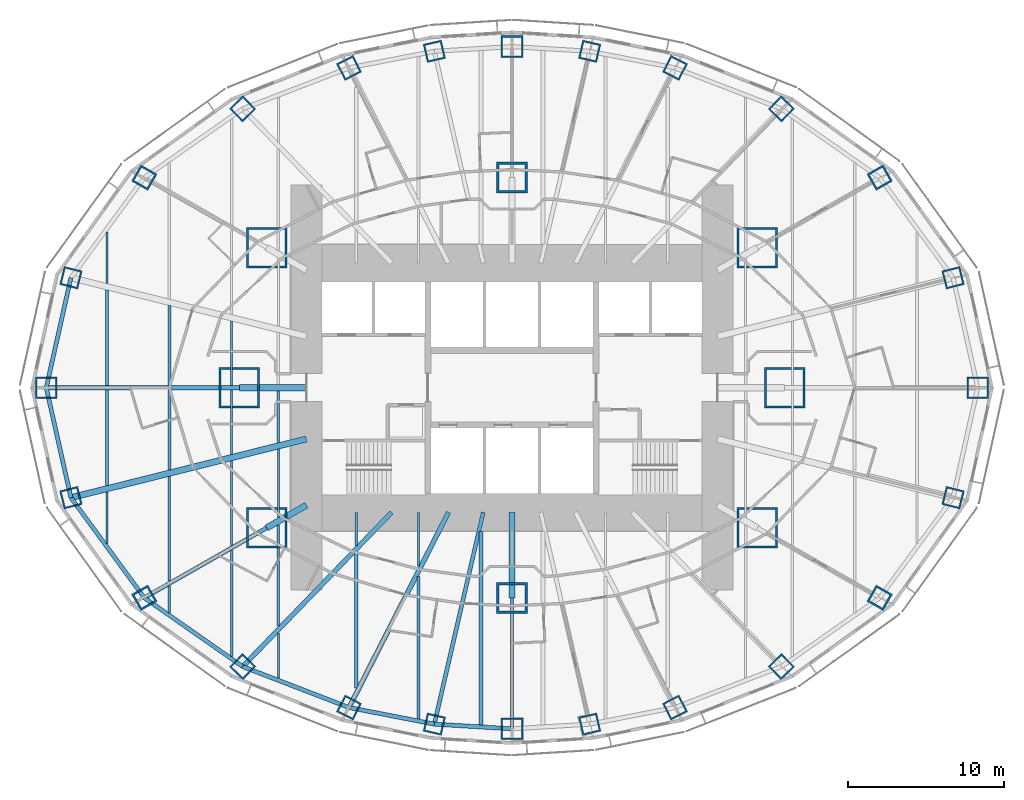
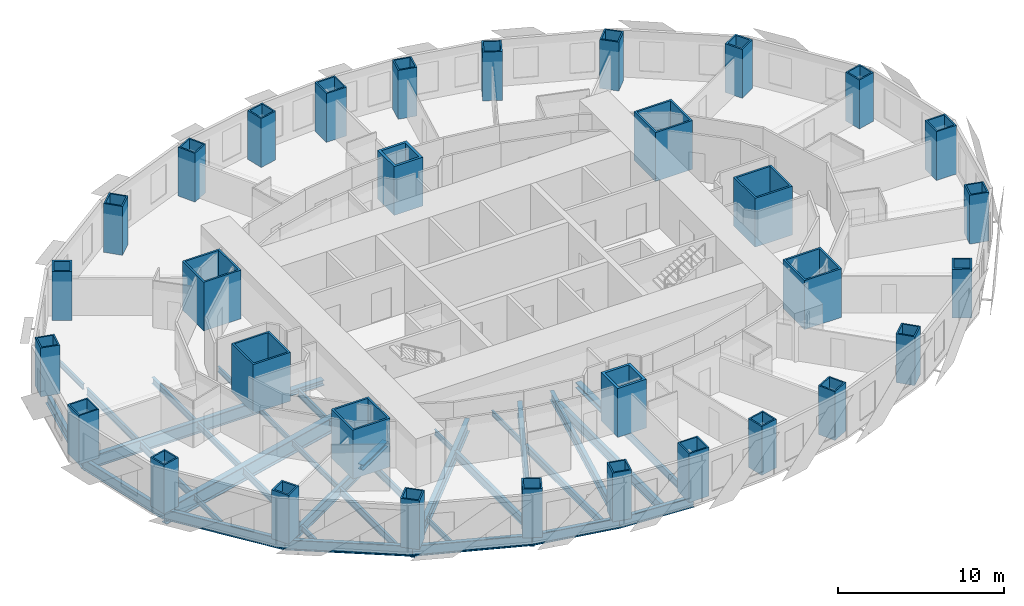
# One storey, part 1 of 15: 38 beams, 32 columns.
"""IFC4 building model written with IfcOpenShell, lengths in metres."""

from ifc_helpers import new_model, si_unit, direction, frame, origin, origin_2d, place, context, subcontext, project, spatial, rectangle, hollow_rectangle, i_section, extrude, material, material_profile, profile_set, type_object, element, save


model = new_model("IFC4")

# Units and contexts
model_context = context("Model", 3, precision=1e-05, world=origin(), true_north=direction((0.0, 1.0)))
body_context = subcontext(model_context, "Body", "Model", "MODEL_VIEW")
ifc_project = project(units=[si_unit("LENGTHUNIT", "METRE"), si_unit("AREAUNIT", "SQUARE_METRE"), si_unit("VOLUMEUNIT", "CUBIC_METRE"), si_unit("PLANEANGLEUNIT", "RADIAN"), si_unit("MASSUNIT", "GRAM", prefix="KILO")], contexts=[model_context])

# Site, building, storey
site_placement = place(None, origin())
site = spatial("IfcSite", under=ifc_project, at=site_placement, CompositionType="ELEMENT")
building_placement = place(site_placement, origin())
building = spatial("IfcBuilding", under=site, at=building_placement, Name="Lantaw Convention Tower", CompositionType="ELEMENT")
storey_placement = place(building_placement, frame((0.0, 0.0, 73.0)))
storey = spatial("IfcBuildingStorey", under=building, at=storey_placement, Name="L16", CompositionType="ELEMENT", Elevation=73.0)

# Columns
ifc_material_1 = material(Name="Steel EN 10025-3 S460N", Category="steel")
ifc_material_profile_1 = material_profile(ifc_material_1, hollow_rectangle(XDim=2.0, YDim=2.0, WallThickness=0.169921875, at=origin_2d()), Name="BOX2000X170")
ifc_material_2 = material(Name="Concrete C60/75", Category="concrete")
ifc_material_profile_2 = material_profile(ifc_material_2, rectangle(XDim=1.659912109375, YDim=1.659912109375, at=origin_2d()), Name="Concrete fill of BOX2000X170")
ifc_profile_set_1 = profile_set([ifc_material_profile_1, ifc_material_profile_2], Name="Steel EN 10025-3 S460N")
column_type_1 = type_object("IfcColumnType", Name="Column MC BOX2000X170", PredefinedType="COLUMN", material=ifc_profile_set_1)
for number, where, z_axis, x_axis, name in (
    (1, (0.0, 13.5, 0.0), (0.0, 0.0, 1.0), (1.0, 0.0, 0.0), "Mega column M3"),
    (2, (0.0, -13.5, 0.0), (0.0, 0.0, 1.0), (1.0, 0.0, 0.0), "Mega column M7"),
):
    element("IfcColumn", number, at=place(storey_placement, frame(where, z_axis=z_axis, x_axis=x_axis)), inside=storey, type_object=column_type_1, Name=name, PredefinedType="COLUMN", context=body_context, shape_type="SweptSolid", body=[
        extrude(hollow_rectangle(XDim=2.0, YDim=2.0, WallThickness=0.169921875, at=origin_2d()), origin(), (0.0, 0.0, 1.0), 3.60009765625),
    ])
ifc_material_profile_3 = material_profile(ifc_material_1, hollow_rectangle(XDim=2.60009765625, YDim=2.60009765625, WallThickness=0.1298828125, at=origin_2d()), Name="BOX2600X130")
ifc_material_profile_4 = material_profile(ifc_material_2, rectangle(XDim=2.340087890625, YDim=2.340087890625, at=origin_2d()), Name="Concrete fill of BOX2600X130")
ifc_profile_set_2 = profile_set([ifc_material_profile_3, ifc_material_profile_4], Name="Steel EN 10025-3 S460N")
column_type_2 = type_object("IfcColumnType", Name="Column MC BOX2600X130", PredefinedType="COLUMN", material=ifc_profile_set_2)
for number, where, z_axis, x_axis, name in (
    (3, (17.5, 0.0, 0.0), (0.0, 0.0, 1.0), (1.0, 0.0, 0.0), "Mega column M1"),
    (4, (15.75, 9.0, 0.0), (0.0, 0.0, 1.0), (1.0, 0.0, 0.0), "Mega column M2"),
    (5, (-15.75, 9.0, 0.0), (0.0, 0.0, 1.0), (1.0, 0.0, 0.0), "Mega column M4"),
    (6, (-17.5, 0.0, 0.0), (0.0, 0.0, 1.0), (1.0, 0.0, 0.0), "Mega column M5"),
    (7, (-15.75, -9.0, 0.0), (0.0, 0.0, 1.0), (1.0, 0.0, 0.0), "Mega column M6"),
    (8, (15.75, -9.0, 0.0), (0.0, 0.0, 1.0), (1.0, 0.0, 0.0), "Mega column M8"),
):
    element("IfcColumn", number, at=place(storey_placement, frame(where, z_axis=z_axis, x_axis=x_axis)), inside=storey, type_object=column_type_2, Name=name, PredefinedType="COLUMN", context=body_context, shape_type="SweptSolid", body=[
        extrude(hollow_rectangle(XDim=2.60009765625, YDim=2.60009765625, WallThickness=0.1298828125, at=origin_2d()), origin(), (0.0, 0.0, 1.0), 3.60009765625),
    ])
ifc_material_profile_5 = material_profile(ifc_material_1, hollow_rectangle(XDim=1.199951171875, YDim=1.199951171875, WallThickness=0.10009765625, at=origin_2d()), Name="BOX1200X100")
ifc_material_profile_6 = material_profile(ifc_material_2, rectangle(XDim=1.0, YDim=1.0, at=origin_2d()), Name="Concrete fill of BOX1200X100")
ifc_profile_set_3 = profile_set([ifc_material_profile_5, ifc_material_profile_6], Name="Steel EN 10025-3 S460N")
column_type_3 = type_object("IfcColumnType", Name="Column PC BOX1200X100", PredefinedType="COLUMN", material=ifc_profile_set_3)
for number, where, z_axis, x_axis, name in (
    (9, (28.31787109375, 7.060302734375, 0.0), (0.0, 0.0, 1.0), (0.970295726276, 0.2419218956, 0.0), "Perimeter column P2"),
    (10, (17.290771484375, 17.9052734375, 0.0), (0.0, 0.0, 1.0), (0.694658370459, 0.719339800339, 0.0), "Perimeter column P4"),
    (11, (10.462646484375, 20.533935546875, 0.0), (0.0, 0.0, 1.0), (0.45399049974, 0.891006524188, 0.0), "Perimeter column P5"),
    (12, (4.986328125, 21.59814453125, 0.0), (0.0, 0.0, 1.0), (0.224951054344, 0.974370064785, 0.0), "Perimeter column P6"),
    (13, (-4.986328125, 21.59814453125, 0.0), (0.0, 0.0, 1.0), (0.974370064785, 0.224951054344, 0.0), "Perimeter column P8"),
    (14, (-10.462646484375, 20.533935546875, 0.0), (0.0, 0.0, 1.0), (0.891006524188, 0.45399049974, 0.0), "Perimeter column P9"),
    (15, (-17.290771484375, 17.9052734375, 0.0), (0.0, 0.0, 1.0), (0.719339800339, 0.694658370459, 0.0), "Perimeter column P10"),
    (16, (-28.31787109375, 7.060302734375, 0.0), (0.0, 0.0, 1.0), (0.2419218956, 0.970295726276, 0.0), "Perimeter column P12"),
    (17, (-28.31787109375, -7.060302734375, 0.0), (0.0, 0.0, 1.0), (0.970295726276, 0.2419218956, 0.0), "Perimeter column P14"),
    (18, (-17.290771484375, -17.9052734375, 0.0), (0.0, 0.0, 1.0), (0.694658370459, 0.719339800339, 0.0), "Perimeter column P16"),
    (19, (-10.462646484375, -20.533935546875, 0.0), (0.0, 0.0, 1.0), (0.45399049974, 0.891006524188, 0.0), "Perimeter column P17"),
    (20, (-4.986328125, -21.59814453125, 0.0), (0.0, 0.0, 1.0), (0.224951054344, 0.974370064785, 0.0), "Perimeter column P18"),
    (21, (4.986328125, -21.59814453125, 0.0), (0.0, 0.0, 1.0), (0.974370064785, 0.224951054344, 0.0), "Perimeter column P20"),
    (22, (10.462646484375, -20.533935546875, 0.0), (0.0, 0.0, 1.0), (0.891006524188, 0.45399049974, 0.0), "Perimeter column P21"),
    (23, (17.290771484375, -17.9052734375, 0.0), (0.0, 0.0, 1.0), (0.719339800339, 0.694658370459, 0.0), "Perimeter column P22"),
    (24, (28.31787109375, -7.060302734375, 0.0), (0.0, 0.0, 1.0), (0.2419218956, 0.970295726276, 0.0), "Perimeter column P24"),
):
    element("IfcColumn", number, at=place(storey_placement, frame(where, z_axis=z_axis, x_axis=x_axis)), inside=storey, type_object=column_type_3, Name=name, PredefinedType="COLUMN", context=body_context, shape_type="SweptSolid", body=[
        extrude(hollow_rectangle(XDim=1.199951171875, YDim=1.199951171875, WallThickness=0.10009765625, at=origin_2d()), origin(), (0.0, 0.0, 1.0), 3.60009765625),
    ])
ifc_material_profile_7 = material_profile(ifc_material_1, hollow_rectangle(XDim=1.199951171875, YDim=1.199951171875, WallThickness=0.1201171875, at=origin_2d()), Name="BOX1200X120")
ifc_material_profile_8 = material_profile(ifc_material_2, rectangle(XDim=0.9599609375, YDim=0.9599609375, at=origin_2d()), Name="Concrete fill of BOX1200X120")
ifc_profile_set_4 = profile_set([ifc_material_profile_7, ifc_material_profile_8], Name="Steel EN 10025-3 S460N")
column_type_4 = type_object("IfcColumnType", Name="Column PC BOX1200X120", PredefinedType="COLUMN", material=ifc_profile_set_4)
for number, where, z_axis, x_axis, name in (
    (25, (23.60498046875, 13.488525390625, 0.0), (0.0, 0.0, 1.0), (0.86824298017, 0.496139221777, 0.0), "Perimeter column P3"),
    (26, (-23.60498046875, 13.488525390625, 0.0), (0.0, 0.0, 1.0), (0.496139221777, 0.86824298017, 0.0), "Perimeter column P11"),
    (27, (-23.60498046875, -13.488525390625, 0.0), (0.0, 0.0, 1.0), (0.86824298017, 0.496139221777, 0.0), "Perimeter column P15"),
    (28, (23.60498046875, -13.488525390625, 0.0), (0.0, 0.0, 1.0), (0.496139221777, 0.86824298017, 0.0), "Perimeter column P23"),
):
    element("IfcColumn", number, at=place(storey_placement, frame(where, z_axis=z_axis, x_axis=x_axis)), inside=storey, type_object=column_type_4, Name=name, PredefinedType="COLUMN", context=body_context, shape_type="SweptSolid", body=[
        extrude(hollow_rectangle(XDim=1.199951171875, YDim=1.199951171875, WallThickness=0.1201171875, at=origin_2d()), origin(), (0.0, 0.0, 1.0), 3.60009765625),
    ])
ifc_material_profile_9 = material_profile(ifc_material_1, hollow_rectangle(XDim=1.39990234375, YDim=1.39990234375, WallThickness=0.10009765625, at=origin_2d()), Name="BOX1400X100")
ifc_material_profile_10 = material_profile(ifc_material_2, rectangle(XDim=1.199951171875, YDim=1.199951171875, at=origin_2d()), Name="Concrete fill of BOX1400X100")
ifc_profile_set_5 = profile_set([ifc_material_profile_9, ifc_material_profile_10], Name="Steel EN 10025-3 S460N")
column_type_5 = type_object("IfcColumnType", Name="Column PC BOX1400X100", PredefinedType="COLUMN", material=ifc_profile_set_5)
for number, where, z_axis, x_axis, name in (
    (29, (29.89990234375, 0.0, 0.0), (0.0, 0.0, 1.0), (1.0, 0.0, 0.0), "Perimeter column P1"),
    (30, (0.0, 21.89990234375, 0.0), (0.0, 0.0, 1.0), (1.0, 0.0, 0.0), "Perimeter column P7"),
    (31, (-29.89990234375, 0.0, 0.0), (0.0, 0.0, 1.0), (1.0, 0.0, 0.0), "Perimeter column P13"),
    (32, (0.0, -21.89990234375, 0.0), (0.0, 0.0, 1.0), (1.0, 0.0, 0.0), "Perimeter column P19"),
):
    element("IfcColumn", number, at=place(storey_placement, frame(where, z_axis=z_axis, x_axis=x_axis)), inside=storey, type_object=column_type_5, Name=name, PredefinedType="COLUMN", context=body_context, shape_type="SweptSolid", body=[
        extrude(hollow_rectangle(XDim=1.39990234375, YDim=1.39990234375, WallThickness=0.10009765625, at=origin_2d()), origin(), (0.0, 0.0, 1.0), 3.60009765625),
    ])

# Beams
ifc_material_3 = material(Name="Steel ASTM A992", Category="steel")
ifc_material_profile_11 = material_profile(ifc_material_3, i_section(OverallWidth=0.2666015625, OverallDepth=0.76953125, WebThickness=0.015625, FlangeThickness=0.025390625, FilletRadius=0.0126953125, at=origin_2d()), Name="W30X132")
ifc_profile_set_6 = profile_set([ifc_material_profile_11], Name="Steel ASTM A992")
beam_type_1 = type_object("IfcBeamType", Name="Beam E W30X132", PredefinedType="SPANDREL", material=ifc_profile_set_6)
for number, where, z_axis, x_axis, name in (
    (33, (-28.31787109375, 7.060302734375, -0.534912109375), (-0.218652184873, -0.975802860239, 0.0), (0.975802860239, -0.218652184873, 0.0), "Edge beam 12"),
    (34, (-29.89990234375, 0.0, -0.534912109375), (0.218652184873, -0.975802860239, 0.0), (0.975802860239, 0.218652184873, 0.0), "Edge beam 13"),
):
    element("IfcBeam", number, at=place(storey_placement, frame(where, z_axis=z_axis, x_axis=x_axis)), inside=storey, type_object=beam_type_1, Name=name, PredefinedType="SPANDREL", context=body_context, shape_type="SweptSolid", body=[
        extrude(i_section(OverallWidth=0.2666015625, OverallDepth=0.76953125, WebThickness=0.015625, FlangeThickness=0.025390625, FilletRadius=0.0126953125, at=origin_2d()), origin(), (0.0, 0.0, 1.0), 7.2353515625),
    ])
beam_1_placement = place(storey_placement, frame((-28.31787109375, -7.060302734375, -0.534912109375), z_axis=(0.591270709086, -0.806473154281, 0.0), x_axis=(0.806473154281, 0.591270709086, 0.0)))
element("IfcBeam", 35, at=beam_1_placement, inside=storey, type_object=beam_type_1, Name="Edge beam 14", PredefinedType="SPANDREL", context=body_context, shape_type="SweptSolid", body=[
    extrude(i_section(OverallWidth=0.2666015625, OverallDepth=0.76953125, WebThickness=0.015625, FlangeThickness=0.025390625, FilletRadius=0.0126953125, at=origin_2d()), origin(), (0.0, 0.0, 1.0), 7.970703125),
])
beam_2_placement = place(storey_placement, frame((-23.60498046875, -13.488525390625, -0.534912109375), z_axis=(0.81942686407, -0.57318375277, 0.0), x_axis=(0.57318375277, 0.81942686407, 0.0)))
element("IfcBeam", 36, at=beam_2_placement, inside=storey, type_object=beam_type_1, Name="Edge beam 15", PredefinedType="SPANDREL", context=body_context, shape_type="SweptSolid", body=[
    extrude(i_section(OverallWidth=0.2666015625, OverallDepth=0.76953125, WebThickness=0.015625, FlangeThickness=0.025390625, FilletRadius=0.0126953125, at=origin_2d()), origin(), (0.0, 0.0, 1.0), 7.70556640625),
])
beam_3_placement = place(storey_placement, frame((-17.290771484375, -17.9052734375, -0.534912109375), z_axis=(0.933232900641, -0.359271976588, 0.0), x_axis=(0.359271976588, 0.933232900641, 0.0)))
element("IfcBeam", 37, at=beam_3_placement, inside=storey, type_object=beam_type_1, Name="Edge beam 16", PredefinedType="SPANDREL", context=body_context, shape_type="SweptSolid", body=[
    extrude(i_section(OverallWidth=0.2666015625, OverallDepth=0.76953125, WebThickness=0.015625, FlangeThickness=0.025390625, FilletRadius=0.0126953125, at=origin_2d()), origin(), (0.0, 0.0, 1.0), 7.316650390625),
])
beam_4_placement = place(storey_placement, frame((-10.462646484375, -20.533935546875, -0.534912109375), z_axis=(0.981636565323, -0.190760723474, 0.0), x_axis=(0.190760723474, 0.981636565323, 0.0)))
element("IfcBeam", 38, at=beam_4_placement, inside=storey, type_object=beam_type_1, Name="Edge beam 17", PredefinedType="SPANDREL", context=body_context, shape_type="SweptSolid", body=[
    extrude(i_section(OverallWidth=0.2666015625, OverallDepth=0.76953125, WebThickness=0.015625, FlangeThickness=0.025390625, FilletRadius=0.0126953125, at=origin_2d()), origin(), (0.0, 0.0, 1.0), 5.578857421875),
])
beam_5_placement = place(storey_placement, frame((-4.986328125, -21.59814453125, -0.534912109375), z_axis=(0.998173858406, -0.060406526096, 0.0), x_axis=(0.060406526096, 0.998173858406, 0.0)))
element("IfcBeam", 39, at=beam_5_placement, inside=storey, type_object=beam_type_1, Name="Edge beam 18", PredefinedType="SPANDREL", context=body_context, shape_type="SweptSolid", body=[
    extrude(i_section(OverallWidth=0.2666015625, OverallDepth=0.76953125, WebThickness=0.015625, FlangeThickness=0.025390625, FilletRadius=0.0126953125, at=origin_2d()), origin(), (0.0, 0.0, 1.0), 4.995361328125),
])
ifc_material_profile_12 = material_profile(ifc_material_3, i_section(OverallWidth=0.1650390625, OverallDepth=0.52587890625, WebThickness=0.0087890625, FlangeThickness=0.011474609375, FilletRadius=0.0126953125, at=origin_2d()), Name="W21X44")
ifc_profile_set_7 = profile_set([ifc_material_profile_12], Name="Steel ASTM A992")
beam_type_2 = type_object("IfcBeamType", Name="Beam G W21X44", PredefinedType="BEAM", material=ifc_profile_set_7)
beam_6_placement = place(storey_placement, frame((0.0, -13.5, -0.412841796875), z_axis=(0.0, -1.0, 0.0), x_axis=(1.0, 0.0, 0.0)))
element("IfcBeam", 40, at=beam_6_placement, inside=storey, type_object=beam_type_2, Name="Floor girder on ray 19", PredefinedType="BEAM", context=body_context, shape_type="SweptSolid", body=[
    extrude(i_section(OverallWidth=0.1650390625, OverallDepth=0.52587890625, WebThickness=0.0087890625, FlangeThickness=0.011474609375, FilletRadius=0.0126953125, at=origin_2d()), origin(), (0.0, 0.0, 1.0), 8.39990234375),
])
ifc_material_profile_13 = material_profile(ifc_material_3, i_section(OverallWidth=0.25390625, OverallDepth=0.683349609375, WebThickness=0.012451171875, FlangeThickness=0.01904296875, FilletRadius=0.01513671875, at=origin_2d()), Name="W27X94")
ifc_profile_set_8 = profile_set([ifc_material_profile_13], Name="Steel ASTM A992")
beam_type_3 = type_object("IfcBeamType", Name="Beam G W27X94", PredefinedType="BEAM", material=ifc_profile_set_8)
beam_7_placement = place(storey_placement, frame((-1.846923828125, -8.0, -0.49169921875), z_axis=(-0.224952773175, -0.97436966796, 0.0), x_axis=(0.97436966796, -0.224952773175, 0.0)))
element("IfcBeam", 41, at=beam_7_placement, inside=storey, type_object=beam_type_3, Name="Floor girder on ray 18", PredefinedType="BEAM", context=body_context, shape_type="SweptSolid", body=[
    extrude(i_section(OverallWidth=0.25390625, OverallDepth=0.683349609375, WebThickness=0.012451171875, FlangeThickness=0.01904296875, FilletRadius=0.01513671875, at=origin_2d()), origin(), (0.0, 0.0, 1.0), 13.955810546875),
])
ifc_material_profile_14 = material_profile(ifc_material_3, i_section(OverallWidth=0.2666015625, OverallDepth=0.7568359375, WebThickness=0.013916015625, FlangeThickness=0.019287109375, FilletRadius=0.0126953125, at=origin_2d()), Name="W30X108")
ifc_profile_set_9 = profile_set([ifc_material_profile_14], Name="Steel ASTM A992")
beam_type_4 = type_object("IfcBeamType", Name="Beam G W30X108", PredefinedType="BEAM", material=ifc_profile_set_9)
beam_8_placement = place(storey_placement, frame((-15.75, -9.0, -0.528564453125), z_axis=(-0.868244802791, -0.496136032179, 0.0), x_axis=(0.496136032179, -0.868244802791, 0.0)))
element("IfcBeam", 42, at=beam_8_placement, inside=storey, type_object=beam_type_4, Name="Floor girder on ray 15", PredefinedType="BEAM", context=body_context, shape_type="SweptSolid", body=[
    extrude(i_section(OverallWidth=0.2666015625, OverallDepth=0.7568359375, WebThickness=0.013916015625, FlangeThickness=0.019287109375, FilletRadius=0.0126953125, at=origin_2d()), origin(), (0.0, 0.0, 1.0), 9.046875),
])
ifc_material_profile_15 = material_profile(ifc_material_3, i_section(OverallWidth=0.307373046875, OverallDepth=0.922119140625, WebThickness=0.018310546875, FlangeThickness=0.030029296875, FilletRadius=0.0126953125, at=origin_2d()), Name="W36X182")
ifc_profile_set_10 = profile_set([ifc_material_profile_15], Name="Steel ASTM A992")
beam_type_5 = type_object("IfcBeamType", Name="Beam G W36X182", PredefinedType="BEAM", material=ifc_profile_set_10)
beam_9_placement = place(storey_placement, frame((-17.5, 0.0, -0.611083984375), z_axis=(-1.0, 0.0, 0.0), x_axis=(0.0, -1.0, 0.0)))
element("IfcBeam", 43, at=beam_9_placement, inside=storey, type_object=beam_type_5, Name="Floor girder on ray 13", PredefinedType="BEAM", context=body_context, shape_type="SweptSolid", body=[
    extrude(i_section(OverallWidth=0.307373046875, OverallDepth=0.922119140625, WebThickness=0.018310546875, FlangeThickness=0.030029296875, FilletRadius=0.0126953125, at=origin_2d()), origin(), (0.0, 0.0, 1.0), 12.39990234375),
])
beam_10_placement = place(storey_placement, frame((-7.7255859375, -8.0, -0.611083984375), z_axis=(-0.694649884291, -0.719347995239, 0.0), x_axis=(0.719347995239, -0.694649884291, 0.0)))
element("IfcBeam", 44, at=beam_10_placement, inside=storey, type_object=beam_type_5, Name="Floor girder on ray 16", PredefinedType="BEAM", context=body_context, shape_type="SweptSolid", body=[
    extrude(i_section(OverallWidth=0.307373046875, OverallDepth=0.922119140625, WebThickness=0.018310546875, FlangeThickness=0.030029296875, FilletRadius=0.0126953125, at=origin_2d()), origin(), (0.0, 0.0, 1.0), 13.769775390625),
])
beam_11_placement = place(storey_placement, frame((-4.076171875, -8.0, -0.611083984375), z_axis=(-0.453997016122, -0.891003203896, 0.0), x_axis=(0.891003203896, -0.453997016122, 0.0)))
element("IfcBeam", 45, at=beam_11_placement, inside=storey, type_object=beam_type_5, Name="Floor girder on ray 17", PredefinedType="BEAM", context=body_context, shape_type="SweptSolid", body=[
    extrude(i_section(OverallWidth=0.307373046875, OverallDepth=0.922119140625, WebThickness=0.018310546875, FlangeThickness=0.030029296875, FilletRadius=0.0126953125, at=origin_2d()), origin(), (0.0, 0.0, 1.0), 14.067138671875),
])
ifc_material_profile_16 = material_profile(ifc_material_3, i_section(OverallWidth=0.40380859375, OverallDepth=1.11767578125, WebThickness=0.026123046875, FlangeThickness=0.044921875, FilletRadius=0.02001953125, at=origin_2d()), Name="W44X335")
ifc_profile_set_11 = profile_set([ifc_material_profile_16], Name="Steel ASTM A992")
beam_type_6 = type_object("IfcBeamType", Name="Beam G W44X335", PredefinedType="BEAM", material=ifc_profile_set_11)
beam_12_placement = place(storey_placement, frame((-13.199951171875, -3.291015625, -0.708740234375), z_axis=(-0.970296233567, -0.241919860957, 0.0), x_axis=(0.241919860957, -0.970296233567, 0.0)))
element("IfcBeam", 46, at=beam_12_placement, inside=storey, type_object=beam_type_6, Name="Floor girder on ray 14", PredefinedType="BEAM", context=body_context, shape_type="SweptSolid", body=[
    extrude(i_section(OverallWidth=0.40380859375, OverallDepth=1.11767578125, WebThickness=0.026123046875, FlangeThickness=0.044921875, FilletRadius=0.02001953125, at=origin_2d()), origin(), (0.0, 0.0, 1.0), 15.580810546875),
])
ifc_material_profile_17 = material_profile(ifc_material_3, i_section(OverallWidth=0.40380859375, OverallDepth=0.406494140625, WebThickness=0.027099609375, FlangeThickness=0.043701171875, FilletRadius=0.01513671875, at=origin_2d()), Name="W14X233")
ifc_profile_set_12 = profile_set([ifc_material_profile_17], Name="Steel ASTM A992")
beam_type_7 = type_object("IfcBeamType", Name="Beam GM W14X233", PredefinedType="BEAM", material=ifc_profile_set_12)
beam_13_placement = place(storey_placement, frame((-13.199951171875, 0.0, -0.353271484375), z_axis=(-1.0, 0.0, 0.0), x_axis=(0.0, -1.0, 0.0)))
element("IfcBeam", 47, at=beam_13_placement, inside=storey, type_object=beam_type_7, Name="Core link beam on ray 13", PredefinedType="BEAM", context=body_context, shape_type="SweptSolid", body=[
    extrude(i_section(OverallWidth=0.40380859375, OverallDepth=0.406494140625, WebThickness=0.027099609375, FlangeThickness=0.043701171875, FilletRadius=0.01513671875, at=origin_2d()), origin(), (0.0, 0.0, 1.0), 4.300048828125),
])
beam_14_placement = place(storey_placement, frame((-13.199951171875, -7.54296875, -0.353271484375), z_axis=(-0.868263603466, -0.496103129295, 0.0), x_axis=(0.496103129295, -0.868263603466, 0.0)))
element("IfcBeam", 48, at=beam_14_placement, inside=storey, type_object=beam_type_7, Name="Core link beam on ray 15", PredefinedType="BEAM", context=body_context, shape_type="SweptSolid", body=[
    extrude(i_section(OverallWidth=0.40380859375, OverallDepth=0.406494140625, WebThickness=0.027099609375, FlangeThickness=0.043701171875, FilletRadius=0.01513671875, at=origin_2d()), origin(), (0.0, 0.0, 1.0), 2.93701171875),
])
beam_15_placement = place(storey_placement, frame((0.0, -8.0, -0.353271484375), z_axis=(0.0, -1.0, 0.0), x_axis=(1.0, 0.0, 0.0)))
element("IfcBeam", 49, at=beam_15_placement, inside=storey, type_object=beam_type_7, Name="Core link beam on ray 19", PredefinedType="BEAM", context=body_context, shape_type="SweptSolid", body=[
    extrude(i_section(OverallWidth=0.40380859375, OverallDepth=0.406494140625, WebThickness=0.027099609375, FlangeThickness=0.043701171875, FilletRadius=0.01513671875, at=origin_2d()), origin(), (0.0, 0.0, 1.0), 5.5),
])
ifc_material_profile_18 = material_profile(ifc_material_3, i_section(OverallWidth=0.140380859375, OverallDepth=0.40380859375, WebThickness=0.007080078125, FlangeThickness=0.01123046875, FilletRadius=0.01025390625, at=origin_2d()), Name="W16X31")
ifc_profile_set_13 = profile_set([ifc_material_profile_18], Name="Steel ASTM A992")
beam_type_8 = type_object("IfcBeamType", Name="Beam J W16X31", PredefinedType="JOIST", material=ifc_profile_set_13)
for number, where, z_axis, x_axis, name in (
    (50, (-26.0, -9.996337890625, -0.35205078125), (0.0, 1.0, 0.0), (-1.0, 0.0, 0.0), "Floor joist"),
    (51, (-26.0, 6.690673828125, -0.35205078125), (0.0, 1.0, 0.0), (-1.0, 0.0, 0.0), "Floor joist"),
):
    element("IfcBeam", number, at=place(storey_placement, frame(where, z_axis=z_axis, x_axis=x_axis)), inside=storey, type_object=beam_type_8, Name=name, PredefinedType="JOIST", context=body_context, shape_type="SweptSolid", body=[
        extrude(i_section(OverallWidth=0.140380859375, OverallDepth=0.40380859375, WebThickness=0.007080078125, FlangeThickness=0.01123046875, FilletRadius=0.01025390625, at=origin_2d()), origin(), (0.0, 0.0, 1.0), 3.3056640625),
    ])
beam_16_placement = place(storey_placement, frame((-22.0, -14.448486328125, -0.35205078125), z_axis=(0.0, 1.0, 0.0), x_axis=(-1.0, 0.0, 0.0)))
element("IfcBeam", 52, at=beam_16_placement, inside=storey, type_object=beam_type_8, Name="Floor joist", PredefinedType="JOIST", context=body_context, shape_type="SweptSolid", body=[
    extrude(i_section(OverallWidth=0.140380859375, OverallDepth=0.40380859375, WebThickness=0.007080078125, FlangeThickness=0.01123046875, FilletRadius=0.01025390625, at=origin_2d()), origin(), (0.0, 0.0, 1.0), 1.723388671875),
])
beam_17_placement = place(storey_placement, frame((-18.0, -10.132080078125, -0.35205078125), z_axis=(0.0, 1.0, 0.0), x_axis=(-1.0, 0.0, 0.0)))
element("IfcBeam", 53, at=beam_17_placement, inside=storey, type_object=beam_type_8, Name="Floor joist", PredefinedType="JOIST", context=body_context, shape_type="SweptSolid", body=[
    extrude(i_section(OverallWidth=0.140380859375, OverallDepth=0.40380859375, WebThickness=0.007080078125, FlangeThickness=0.01123046875, FilletRadius=0.01025390625, at=origin_2d()), origin(), (0.0, 0.0, 1.0), 5.43603515625),
])
for number, where, z_axis, x_axis, name in (
    (54, (-18.0, -4.27978515625, -0.35205078125), (0.0, 1.0, 0.0), (-1.0, 0.0, 0.0), "Floor joist"),
    (55, (-18.0, 0.153564453125, -0.35205078125), (0.0, 1.0, 0.0), (-1.0, 0.0, 0.0), "Floor joist"),
):
    element("IfcBeam", number, at=place(storey_placement, frame(where, z_axis=z_axis, x_axis=x_axis)), inside=storey, type_object=beam_type_8, Name=name, PredefinedType="JOIST", context=body_context, shape_type="SweptSolid", body=[
        extrude(i_section(OverallWidth=0.140380859375, OverallDepth=0.40380859375, WebThickness=0.007080078125, FlangeThickness=0.01123046875, FilletRadius=0.01025390625, at=origin_2d()), origin(), (0.0, 0.0, 1.0), 4.126220703125),
    ])
beam_18_placement = place(storey_placement, frame((-15.0, -18.644287109375, -0.35205078125), z_axis=(0.0, 1.0, 0.0), x_axis=(-1.0, 0.0, 0.0)))
element("IfcBeam", 56, at=beam_18_placement, inside=storey, type_object=beam_type_8, Name="Floor joist", PredefinedType="JOIST", context=body_context, shape_type="SweptSolid", body=[
    extrude(i_section(OverallWidth=0.140380859375, OverallDepth=0.40380859375, WebThickness=0.007080078125, FlangeThickness=0.01123046875, FilletRadius=0.01025390625, at=origin_2d()), origin(), (0.0, 0.0, 1.0), 2.89013671875),
])
beam_19_placement = place(storey_placement, frame((-15.0, -8.3388671875, -0.35205078125), z_axis=(0.0, 1.0, 0.0), x_axis=(-1.0, 0.0, 0.0)))
element("IfcBeam", 57, at=beam_19_placement, inside=storey, type_object=beam_type_8, Name="Floor joist", PredefinedType="JOIST", context=body_context, shape_type="SweptSolid", body=[
    extrude(i_section(OverallWidth=0.140380859375, OverallDepth=0.40380859375, WebThickness=0.007080078125, FlangeThickness=0.01123046875, FilletRadius=0.01025390625, at=origin_2d()), origin(), (0.0, 0.0, 1.0), 4.390869140625),
])
beam_20_placement = place(storey_placement, frame((-10.0, -10.134033203125, -0.35205078125), z_axis=(0.0, 1.0, 0.0), x_axis=(-1.0, 0.0, 0.0)))
element("IfcBeam", 58, at=beam_20_placement, inside=storey, type_object=beam_type_8, Name="Floor joist", PredefinedType="JOIST", context=body_context, shape_type="SweptSolid", body=[
    extrude(i_section(OverallWidth=0.140380859375, OverallDepth=0.40380859375, WebThickness=0.007080078125, FlangeThickness=0.01123046875, FilletRadius=0.01025390625, at=origin_2d()), origin(), (0.0, 0.0, 1.0), 2.134033203125),
])
beam_21_placement = place(storey_placement, frame((-6.0, -11.437255859375, -0.35205078125), z_axis=(0.0, 1.0, 0.0), x_axis=(-1.0, 0.0, 0.0)))
element("IfcBeam", 59, at=beam_21_placement, inside=storey, type_object=beam_type_8, Name="Floor joist", PredefinedType="JOIST", context=body_context, shape_type="SweptSolid", body=[
    extrude(i_section(OverallWidth=0.140380859375, OverallDepth=0.40380859375, WebThickness=0.007080078125, FlangeThickness=0.01123046875, FilletRadius=0.01025390625, at=origin_2d()), origin(), (0.0, 0.0, 1.0), 3.437255859375),
])
ifc_material_profile_19 = material_profile(ifc_material_3, i_section(OverallWidth=0.1904296875, OverallDepth=0.457275390625, WebThickness=0.009033203125, FlangeThickness=0.014404296875, FilletRadius=0.01025390625, at=origin_2d()), Name="W18X50")
ifc_profile_set_14 = profile_set([ifc_material_profile_19], Name="Steel ASTM A992")
beam_type_9 = type_object("IfcBeamType", Name="Beam J W18X50", PredefinedType="JOIST", material=ifc_profile_set_14)
for number, where, z_axis, x_axis, name in (
    (60, (-22.0, -5.277099609375, -0.378662109375), (0.0, 1.0, 0.0), (-1.0, 0.0, 0.0), "Floor joist"),
    (61, (-22.0, 0.153564453125, -0.378662109375), (0.0, 1.0, 0.0), (-1.0, 0.0, 0.0), "Floor joist"),
):
    element("IfcBeam", number, at=place(storey_placement, frame(where, z_axis=z_axis, x_axis=x_axis)), inside=storey, type_object=beam_type_9, Name=name, PredefinedType="JOIST", context=body_context, shape_type="SweptSolid", body=[
        extrude(i_section(OverallWidth=0.1904296875, OverallDepth=0.457275390625, WebThickness=0.009033203125, FlangeThickness=0.014404296875, FilletRadius=0.01025390625, at=origin_2d()), origin(), (0.0, 0.0, 1.0), 5.12353515625),
    ])
ifc_material_profile_20 = material_profile(ifc_material_3, i_section(OverallWidth=0.1650390625, OverallDepth=0.52587890625, WebThickness=0.0087890625, FlangeThickness=0.011474609375, FilletRadius=0.0126953125, at=origin_2d()), Name="W21X44")
ifc_profile_set_15 = profile_set([ifc_material_profile_20], Name="Steel ASTM A992")
beam_type_10 = type_object("IfcBeamType", Name="Beam J W21X44", PredefinedType="JOIST", material=ifc_profile_set_15)
beam_22_placement = place(storey_placement, frame((-22.0, -12.41796875, -0.412841796875), z_axis=(0.0, 1.0, 0.0), x_axis=(-1.0, 0.0, 0.0)))
element("IfcBeam", 62, at=beam_22_placement, inside=storey, type_object=beam_type_10, Name="Floor joist", PredefinedType="JOIST", context=body_context, shape_type="SweptSolid", body=[
    extrude(i_section(OverallWidth=0.1650390625, OverallDepth=0.52587890625, WebThickness=0.0087890625, FlangeThickness=0.011474609375, FilletRadius=0.0126953125, at=origin_2d()), origin(), (0.0, 0.0, 1.0), 6.724609375),
])
beam_23_placement = place(storey_placement, frame((-18.0, -17.246337890625, -0.412841796875), z_axis=(0.0, 1.0, 0.0), x_axis=(-1.0, 0.0, 0.0)))
element("IfcBeam", 63, at=beam_23_placement, inside=storey, type_object=beam_type_10, Name="Floor joist", PredefinedType="JOIST", context=body_context, shape_type="SweptSolid", body=[
    extrude(i_section(OverallWidth=0.1650390625, OverallDepth=0.52587890625, WebThickness=0.0087890625, FlangeThickness=0.011474609375, FilletRadius=0.0126953125, at=origin_2d()), origin(), (0.0, 0.0, 1.0), 6.80712890625),
])
beam_24_placement = place(storey_placement, frame((-15.0, -15.311767578125, -0.412841796875), z_axis=(0.0, 1.0, 0.0), x_axis=(-1.0, 0.0, 0.0)))
element("IfcBeam", 64, at=beam_24_placement, inside=storey, type_object=beam_type_10, Name="Floor joist", PredefinedType="JOIST", context=body_context, shape_type="SweptSolid", body=[
    extrude(i_section(OverallWidth=0.1650390625, OverallDepth=0.52587890625, WebThickness=0.0087890625, FlangeThickness=0.011474609375, FilletRadius=0.0126953125, at=origin_2d()), origin(), (0.0, 0.0, 1.0), 6.5078125),
])
ifc_material_profile_21 = material_profile(ifc_material_3, i_section(OverallWidth=0.165771484375, OverallDepth=0.5283203125, WebThickness=0.009765625, FlangeThickness=0.013671875, FilletRadius=0.012939453125, at=origin_2d()), Name="W21X50")
ifc_profile_set_16 = profile_set([ifc_material_profile_21], Name="Steel ASTM A992")
beam_type_11 = type_object("IfcBeamType", Name="Beam J W21X50", PredefinedType="JOIST", material=ifc_profile_set_16)
for number, where, z_axis, x_axis, name in (
    (65, (-26.0, -6.2744140625, -0.4140625), (0.0, 1.0, 0.0), (-1.0, 0.0, 0.0), "Floor joist"),
    (66, (-26.0, 0.153564453125, -0.4140625), (0.0, 1.0, 0.0), (-1.0, 0.0, 0.0), "Floor joist"),
):
    element("IfcBeam", number, at=place(storey_placement, frame(where, z_axis=z_axis, x_axis=x_axis)), inside=storey, type_object=beam_type_11, Name=name, PredefinedType="JOIST", context=body_context, shape_type="SweptSolid", body=[
        extrude(i_section(OverallWidth=0.165771484375, OverallDepth=0.5283203125, WebThickness=0.009765625, FlangeThickness=0.013671875, FilletRadius=0.012939453125, at=origin_2d()), origin(), (0.0, 0.0, 1.0), 6.120849609375),
    ])
beam_25_placement = place(storey_placement, frame((-15.0, -3.53173828125, -0.4140625), z_axis=(0.0, 1.0, 0.0), x_axis=(-1.0, 0.0, 0.0)))
element("IfcBeam", 67, at=beam_25_placement, inside=storey, type_object=beam_type_11, Name="Floor joist", PredefinedType="JOIST", context=body_context, shape_type="SweptSolid", body=[
    extrude(i_section(OverallWidth=0.165771484375, OverallDepth=0.5283203125, WebThickness=0.009765625, FlangeThickness=0.013671875, FilletRadius=0.012939453125, at=origin_2d()), origin(), (0.0, 0.0, 1.0), 3.329833984375),
])
ifc_material_profile_22 = material_profile(ifc_material_3, i_section(OverallWidth=0.2099609375, OverallDepth=0.535888671875, WebThickness=0.010986328125, FlangeThickness=0.017333984375, FilletRadius=0.012939453125, at=origin_2d()), Name="W21X68")
ifc_profile_set_17 = profile_set([ifc_material_profile_22], Name="Steel ASTM A992")
beam_type_12 = type_object("IfcBeamType", Name="Beam J W21X68", PredefinedType="JOIST", material=ifc_profile_set_17)
beam_26_placement = place(storey_placement, frame((-6.0, -21.26513671875, -0.41796875), z_axis=(0.0, 1.0, 0.0), x_axis=(-1.0, 0.0, 0.0)))
element("IfcBeam", 68, at=beam_26_placement, inside=storey, type_object=beam_type_12, Name="Floor joist", PredefinedType="JOIST", context=body_context, shape_type="SweptSolid", body=[
    extrude(i_section(OverallWidth=0.2099609375, OverallDepth=0.535888671875, WebThickness=0.010986328125, FlangeThickness=0.017333984375, FilletRadius=0.012939453125, at=origin_2d()), origin(), (0.0, 0.0, 1.0), 9.15087890625),
])
ifc_material_profile_23 = material_profile(ifc_material_3, i_section(OverallWidth=0.227783203125, OverallDepth=0.60205078125, WebThickness=0.010498046875, FlangeThickness=0.014892578125, FilletRadius=0.012939453125, at=origin_2d()), Name="W24X68")
ifc_profile_set_18 = profile_set([ifc_material_profile_23], Name="Steel ASTM A992")
beam_type_13 = type_object("IfcBeamType", Name="Beam J W24X68", PredefinedType="JOIST", material=ifc_profile_set_18)
beam_27_placement = place(storey_placement, frame((-10.0, -19.28759765625, -0.450927734375), z_axis=(0.0, 1.0, 0.0), x_axis=(-1.0, 0.0, 0.0)))
element("IfcBeam", 69, at=beam_27_placement, inside=storey, type_object=beam_type_13, Name="Floor joist", PredefinedType="JOIST", context=body_context, shape_type="SweptSolid", body=[
    extrude(i_section(OverallWidth=0.227783203125, OverallDepth=0.60205078125, WebThickness=0.010498046875, FlangeThickness=0.014892578125, FilletRadius=0.012939453125, at=origin_2d()), origin(), (0.0, 0.0, 1.0), 8.711181640625),
])
ifc_material_profile_24 = material_profile(ifc_material_3, i_section(OverallWidth=0.25390625, OverallDepth=0.700927734375, WebThickness=0.015380859375, FlangeThickness=0.02783203125, FilletRadius=0.01513671875, at=origin_2d()), Name="W27X129")
ifc_profile_set_19 = profile_set([ifc_material_profile_24], Name="Steel ASTM A992")
beam_type_14 = type_object("IfcBeamType", Name="Beam J W27X129", PredefinedType="JOIST", material=ifc_profile_set_19)
beam_28_placement = place(storey_placement, frame((-2.0, -21.645263671875, -0.50048828125), z_axis=(0.0, 1.0, 0.0), x_axis=(-1.0, 0.0, 0.0)))
element("IfcBeam", 70, at=beam_28_placement, inside=storey, type_object=beam_type_14, Name="Floor joist", PredefinedType="JOIST", context=body_context, shape_type="SweptSolid", body=[
    extrude(i_section(OverallWidth=0.25390625, OverallDepth=0.700927734375, WebThickness=0.015380859375, FlangeThickness=0.02783203125, FilletRadius=0.01513671875, at=origin_2d()), origin(), (0.0, 0.0, 1.0), 12.417724609375),
])

save(model, "model.ifc")
